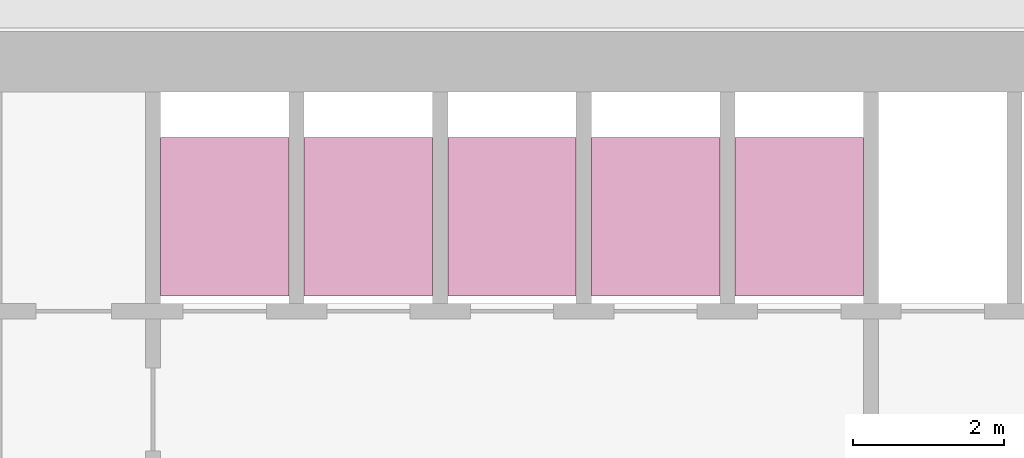
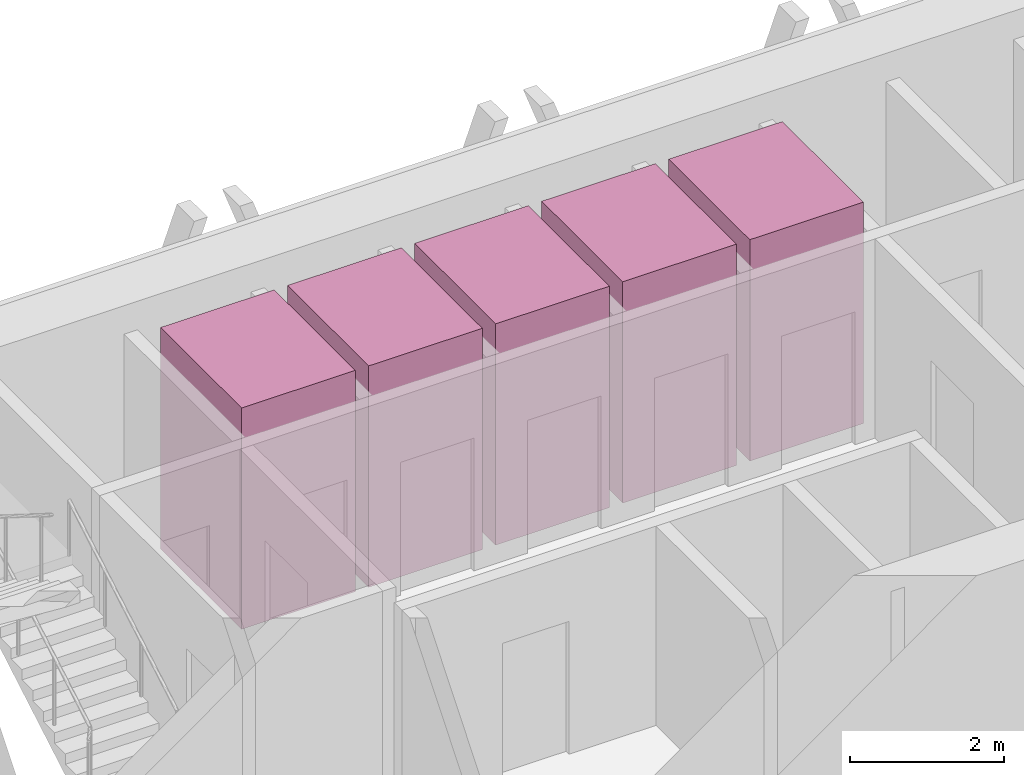
# One storey, part 16 of 16: 5 transport elements.
"""IFC4 building model written with IfcOpenShell, lengths in metres."""

import ifcopenshell
import ifcopenshell.guid

model = None  # the IFC model being written
_history = None  # IfcOwnerHistory: only IFC2X3 demands one
_inside = {}  # id of a spatial element -> (the spatial element, [elements in it])
_under = {}  # id of a project, library or spatial element -> (it, [spatial elements below it])
_declared = {}  # id of a project -> (the project, [libraries it declares])
_typed = {}  # id of a type object -> (the type object, [elements of that type])
_made_of = {}  # id of a material, layer set ... -> (it, [elements and type objects made of it])


def new_model(schema):
    """Start an empty IFC model of exactly this schema.

    Asked for "IFC4X3", IfcOpenShell would pick the latest addendum, in which some entities
    have other attributes; the version numbers below select the first issue.
    IFC2X3 requires an IfcOwnerHistory on every rooted entity: one is made here for all.
    """
    global model, _history
    if schema == "IFC4X3":
        model = ifcopenshell.file(schema_version=(4, 3, 0, 0))
    else:
        model = ifcopenshell.file(schema=schema)
    _inside.clear()
    _under.clear()
    _declared.clear()
    _typed.clear()
    _made_of.clear()
    _history = None
    if model.schema == "IFC2X3":
        org = make("IfcOrganization", Name="unknown")
        user = make(
            "IfcPersonAndOrganization",
            ThePerson=make("IfcPerson", FamilyName="unknown"),
            TheOrganization=org,
        )
        app = make(
            "IfcApplication",
            ApplicationDeveloper=org,
            Version="unknown",
            ApplicationFullName="unknown",
            ApplicationIdentifier="unknown",
        )
        _history = make(
            "IfcOwnerHistory",
            OwningUser=user,
            OwningApplication=app,
            ChangeAction="ADDED",
            CreationDate=0,
        )
    return model


def make(cls, **values):
    """One entity of the class cls with the attributes given. An attribute that is None is left unset."""
    return model.create_entity(
        cls, **{name: value for name, value in values.items() if value is not None}
    )


def rooted(cls, **values):
    """An entity with a GlobalId (a new one), such as an element, a storey or a relation."""
    return make(cls, GlobalId=ifcopenshell.guid.new(), OwnerHistory=_history, **values)


def si_unit(unit_type, name, prefix=None):
    """IfcSIUnit, for example si_unit("LENGTHUNIT", "METRE", prefix="MILLI")."""
    return make("IfcSIUnit", UnitType=unit_type, Prefix=prefix, Name=name)


def assignment(units):
    """IfcUnitAssignment: the units of a project."""
    return None if units is None else make("IfcUnitAssignment", Units=units)


def point(xyz):
    """IfcCartesianPoint."""
    return None if xyz is None else make("IfcCartesianPoint", Coordinates=xyz)


def direction(xyz):
    """IfcDirection."""
    return None if xyz is None else make("IfcDirection", DirectionRatios=xyz)


def frame(location, z_axis=None, x_axis=None):
    """IfcAxis2Placement3D, a coordinate frame: its origin and axes. An axis left out is left unset."""
    return make(
        "IfcAxis2Placement3D",
        Location=point(location),
        Axis=direction(z_axis),
        RefDirection=direction(x_axis),
    )


def frame_2d(location, x_axis=None):
    """IfcAxis2Placement2D, a coordinate frame in the plane: its origin and x axis."""
    return make(
        "IfcAxis2Placement2D", Location=point(location), RefDirection=direction(x_axis)
    )


def origin():
    """The frame at (0, 0, 0) with its axes left unset."""
    return frame((0.0, 0.0, 0.0))


def origin_2d():
    """The frame at (0, 0) in the plane with its x axis left unset."""
    return frame_2d((0.0, 0.0))


def place(relative_to, where):
    """IfcLocalPlacement: puts the frame where relative to a parent placement (None: the world)."""
    return make(
        "IfcLocalPlacement", PlacementRelTo=relative_to, RelativePlacement=where
    )


def context(
    kind, dimensions, precision=None, world=None, true_north=None, identifier=None
):
    """IfcGeometricRepresentationContext, for example the 3D "Model" context."""
    return make(
        "IfcGeometricRepresentationContext",
        ContextIdentifier=identifier,
        ContextType=kind,
        CoordinateSpaceDimension=dimensions,
        Precision=precision,
        WorldCoordinateSystem=world,
        TrueNorth=true_north,
    )


def subcontext(parent, identifier, kind, view, scale=None):
    """IfcGeometricRepresentationSubContext, for example "Body" below "Model"."""
    return make(
        "IfcGeometricRepresentationSubContext",
        ContextIdentifier=identifier,
        ContextType=kind,
        ParentContext=parent,
        TargetScale=scale,
        TargetView=view,
    )


def project(units=None, contexts=None):
    """IfcProject with its units and contexts."""
    return rooted(
        "IfcProject",
        Name="project",
        RepresentationContexts=contexts,
        UnitsInContext=assignment(units),
    )


def spatial(cls, under=None, at=None, **own):
    """A site, building, storey or space (cls), placed at a placement, below another one or the project."""
    s = rooted(cls, ObjectPlacement=at, **own)
    if under is not None:
        _under.setdefault(under.id(), (under, []))[1].append(s)
    return s


def profile(cls, at=None, kind="AREA", **sizes):
    """A parametric profile (cls). Its sizes go by their IFC names, for example OverallWidth=200.0."""
    return make(cls, ProfileType=kind, Position=at, **sizes)


def rectangle(**sizes):
    """IfcRectangleProfileDef."""
    return profile("IfcRectangleProfileDef", **sizes)


def extrude(swept, where, along, depth):
    """IfcExtrudedAreaSolid: the profile swept, set in the frame where, extruded along a direction by depth."""
    return make(
        "IfcExtrudedAreaSolid",
        SweptArea=swept,
        Position=where,
        ExtrudedDirection=direction(along),
        Depth=depth,
    )


def shape(context_of_items, identifier, shape_type, items):
    """IfcShapeRepresentation: the items that make up one representation, for example the "Body"."""
    return make(
        "IfcShapeRepresentation",
        ContextOfItems=context_of_items,
        RepresentationIdentifier=identifier,
        RepresentationType=shape_type,
        Items=items,
    )


def material(Name=None, Category=None):
    """IfcMaterial."""
    return make("IfcMaterial", Name=Name, Category=Category)


def made_of(thing, what):
    """Note that an element or type object is made of a material, layer set ...; save() writes the relation."""
    if what is not None:
        _made_of.setdefault(what.id(), (what, []))[1].append(thing)
    return thing


def type_object(cls, material=None, **own):
    """A type object (cls), such as IfcWallType, which elements share."""
    return made_of(rooted(cls, **own), material)


def element(
    cls,
    number,
    at=None,
    inside=None,
    cuts=None,
    type_object=None,
    material=None,
    context=None,
    identifier="Body",
    shape_type=None,
    held_by="IfcProductDefinitionShape",
    body=None,
    shapes=None,
    **own,
):
    """One element of the class cls, such as IfcWall. Its Tag is "e" and its number.

    at: its placement. inside: the storey or other place that contains it. cuts: it is an
    opening in that element (IfcRelVoidsElement). A single representation is given by context,
    identifier, shape_type and body (its items); several are given by shapes. held_by: the class
    of the entity that holds the representations. save() writes the other relations.
    """
    e = rooted(cls, Tag="e%d" % number, ObjectPlacement=at, **own)
    if body is not None:
        shapes = [shape(context, identifier, shape_type, body)]
    if shapes is not None:
        e.Representation = make(held_by, Representations=shapes)
    if inside is not None:
        _inside.setdefault(inside.id(), (inside, []))[1].append(e)
    if cuts is not None:
        rooted(
            "IfcRelVoidsElement", RelatingBuildingElement=cuts, RelatedOpeningElement=e
        )
    if type_object is not None:
        _typed.setdefault(type_object.id(), (type_object, []))[1].append(e)
    return made_of(e, material)


def aggregate(whole, parts):
    """IfcRelAggregates: a whole, such as a stair, and the parts it consists of."""
    return rooted("IfcRelAggregates", RelatingObject=whole, RelatedObjects=parts)


def save(model, path):
    """Write the relations noted so far, then the file.

    IfcRelAggregates (storeys below a building ...), IfcRelContainedInSpatialStructure (elements
    in a storey), IfcRelDefinesByType, IfcRelAssociatesMaterial and IfcRelDeclares: one each for
    every whole, place, type object, material and project.
    """
    for whole, parts in _under.values():
        aggregate(whole, parts)
    for where, things in _inside.values():
        rooted(
            "IfcRelContainedInSpatialStructure",
            RelatedElements=things,
            RelatingStructure=where,
        )
    for kind, things in _typed.values():
        rooted("IfcRelDefinesByType", RelatedObjects=things, RelatingType=kind)
    for what, things in _made_of.values():
        rooted("IfcRelAssociatesMaterial", RelatedObjects=things, RelatingMaterial=what)
    for by, libraries in _declared.values():
        rooted("IfcRelDeclares", RelatingContext=by, RelatedDefinitions=libraries)
    model.write(path)


model = new_model("IFC4")

# Units and contexts
model_context = context("Model", 3, precision=1e-05, world=origin(), true_north=direction((0.0, 1.0)))
body_context = subcontext(model_context, "Body", "Model", "MODEL_VIEW")
ifc_project = project(units=[si_unit("LENGTHUNIT", "METRE"), si_unit("AREAUNIT", "SQUARE_METRE"), si_unit("VOLUMEUNIT", "CUBIC_METRE"), si_unit("PLANEANGLEUNIT", "RADIAN"), si_unit("MASSUNIT", "GRAM", prefix="KILO")], contexts=[model_context])

# Site, building, storey
site_placement = place(None, origin())
site = spatial("IfcSite", under=ifc_project, at=site_placement, CompositionType="ELEMENT")
building_placement = place(site_placement, origin())
building = spatial("IfcBuilding", under=site, at=building_placement, Name="Altiplano Prism Tower", CompositionType="ELEMENT")
storey_placement = place(building_placement, frame((0.0, 0.0, 138.60009765625)))
storey = spatial("IfcBuildingStorey", under=building, at=storey_placement, Name="L35", CompositionType="ELEMENT", Elevation=138.60009765625)

# Transport elements
ifc_material = material(Name="Stainless steel lift car", Category="steel")
transport_element_type = type_object("IfcTransportElementType", Name="Passenger lift car 1600 x 2100", PredefinedType="ELEVATOR", material=ifc_material)
for number, where, z_axis, x_axis, name in (
    (1, (79.050048828125, 101.75, 0.0498046875), (0.0, 0.0, 1.0), (1.0, 0.0, 0.0), "Mid Zone Passenger Lift 1"),
    (2, (80.949951171875, 101.75, 0.0498046875), (0.0, 0.0, 1.0), (1.0, 0.0, 0.0), "Mid Zone Passenger Lift 2"),
    (3, (82.85009765625, 101.75, 0.0498046875), (0.0, 0.0, 1.0), (1.0, 0.0, 0.0), "Mid Zone Passenger Lift 3"),
    (4, (84.75, 101.75, 0.0498046875), (0.0, 0.0, 1.0), (1.0, 0.0, 0.0), "Mid Zone Passenger Lift 4"),
    (5, (86.64990234375, 101.75, 0.0498046875), (0.0, 0.0, 1.0), (1.0, 0.0, 0.0), "Mid Zone Passenger Lift 5"),
):
    element("IfcTransportElement", number, at=place(storey_placement, frame(where, z_axis=z_axis, x_axis=x_axis)), inside=storey, type_object=transport_element_type, Name=name, PredefinedType="ELEVATOR", context=body_context, shape_type="SweptSolid", body=[
        extrude(rectangle(XDim=1.699951171875, YDim=2.10009765625, at=origin_2d()), origin(), (0.0, 0.0, 1.0), 3.5),
    ])

save(model, "model.ifc")
